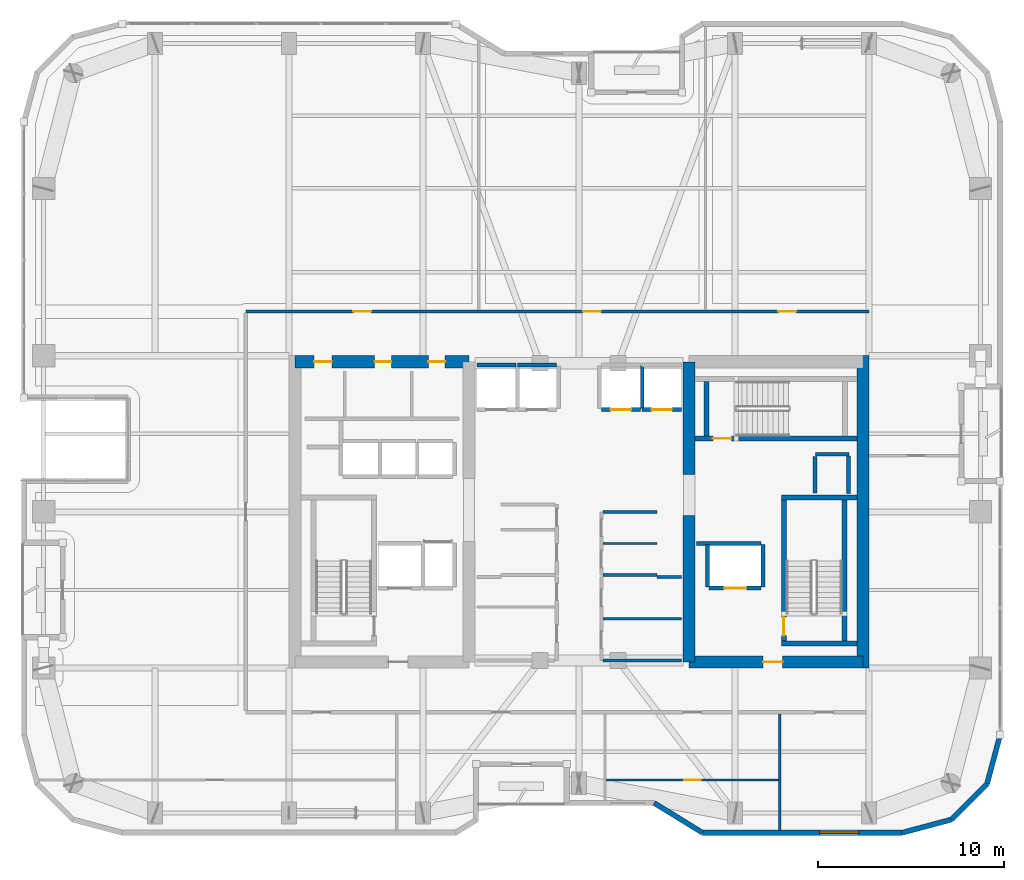
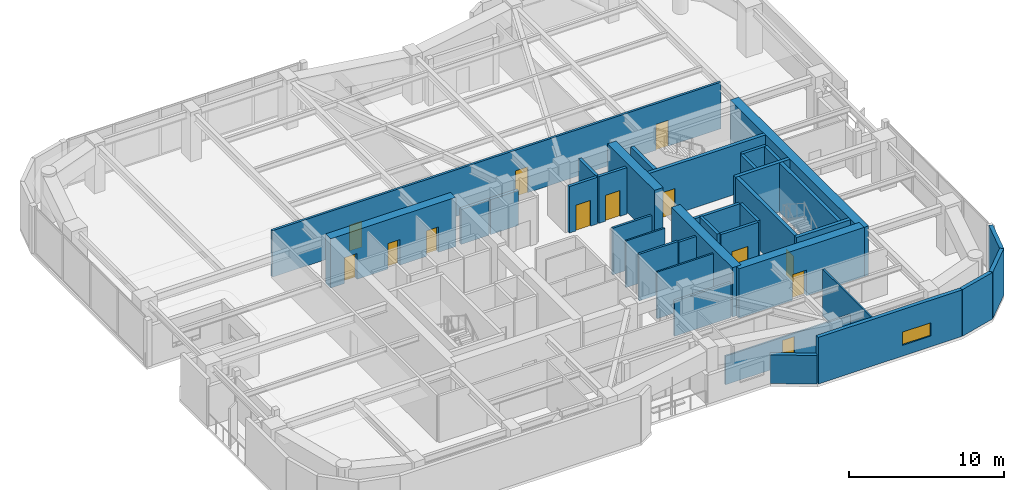
# One storey, part 22 of 26: 37 walls, 13 doors, 1 window, 14 openings.
"""IFC4 building model written with IfcOpenShell, lengths in metres."""

from ifc_helpers import new_model, si_unit, direction, frame, frame_2d, origin, place, context, subcontext, project, spatial, rectangle, extrude, material, layer, layer_set, type_object, element, fill, save


model = new_model("IFC4")

# Units and contexts
model_context = context("Model", 3, precision=1e-05, world=origin(), true_north=direction((0.0, 1.0)))
body_context = subcontext(model_context, "Body", "Model", "MODEL_VIEW")
ifc_project = project(units=[si_unit("LENGTHUNIT", "METRE"), si_unit("AREAUNIT", "SQUARE_METRE"), si_unit("VOLUMEUNIT", "CUBIC_METRE"), si_unit("PLANEANGLEUNIT", "RADIAN"), si_unit("MASSUNIT", "GRAM", prefix="KILO")], contexts=[model_context])

# Site, building, storey
site_placement = place(None, origin())
site = spatial("IfcSite", under=ifc_project, at=site_placement, CompositionType="ELEMENT")
building_placement = place(site_placement, origin())
building = spatial("IfcBuilding", under=site, at=building_placement, Name="Kiyonajd Concourse Tower", CompositionType="ELEMENT")
storey_placement = place(building_placement, frame((0.0, 0.0, 186.300048828125)))
storey = spatial("IfcBuildingStorey", under=building, at=storey_placement, Name="L47", CompositionType="ELEMENT", Elevation=186.300048828125)

# Wall, openings, doors
ifc_material_1 = material(Name="Concrete C60/75", Category="concrete")
ifc_layer_1 = layer(ifc_material_1, 0.64990234375)
ifc_layer_set_1 = layer_set([ifc_layer_1], Name="Concrete C60/75")
wall_type_1 = type_object("IfcWallType", Name="WL-CORE-650", PredefinedType="SHEAR", material=ifc_layer_set_1)
wall_1_placement = place(storey_placement, frame((32.72509765625, 44.074951171875, 0.0), z_axis=(0.0, 0.0, 1.0), x_axis=(1.0, 0.0, 0.0)))
wall_1 = element("IfcWall", 1, at=wall_1_placement, inside=storey, type_object=wall_type_1, Name="L47 West Core North Shear Wall", PredefinedType="SHEAR", context=body_context, shape_type="SweptSolid", body=[
    extrude(rectangle(XDim=9.349853515625, YDim=0.64990234375, at=frame_2d((4.6748046875, 0.0))), origin(), (0.0, 0.0, 1.0), 3.89990234375),
])
opening_1_placement = place(wall_1_placement, frame((1.02490234375, 0.0, 0.0)))
opening_1 = element("IfcOpeningElement", 2, at=opening_1_placement, cuts=wall_1, Name="Opening DI1", PredefinedType="OPENING", context=body_context, shape_type="SweptSolid", body=[
    extrude(rectangle(XDim=0.949951171875, YDim=2.0400390625, at=frame_2d((0.47509765625, 1.02001953125))), frame((0.0, 0.3349609375, 0.0), z_axis=(0.0, -1.0, 0.0), x_axis=(1.0, 0.0, 0.0)), (0.0, 0.0, 1.0), 0.669921875),
])
opening_2_placement = place(wall_1_placement, frame((4.27490234375, 0.0, 0.0)))
opening_2 = element("IfcOpeningElement", 3, at=opening_2_placement, cuts=wall_1, Name="Opening DI2", PredefinedType="OPENING", context=body_context, shape_type="SweptSolid", body=[
    extrude(rectangle(XDim=0.89990234375, YDim=2.02001953125, at=frame_2d((0.449951171875, 1.010009765625))), frame((0.0, 0.3349609375, 0.0), z_axis=(0.0, -1.0, 0.0), x_axis=(1.0, 0.0, 0.0)), (0.0, 0.0, 1.0), 0.669921875),
])
opening_3_placement = place(wall_1_placement, frame((7.175048828125, 0.0, 0.0)))
opening_3 = element("IfcOpeningElement", 4, at=opening_3_placement, cuts=wall_1, Name="Opening DI2", PredefinedType="OPENING", context=body_context, shape_type="SweptSolid", body=[
    extrude(rectangle(XDim=0.89990234375, YDim=2.02001953125, at=frame_2d((0.449951171875, 1.010009765625))), frame((0.0, 0.3349609375, 0.0), z_axis=(0.0, -1.0, 0.0), x_axis=(1.0, 0.0, 0.0)), (0.0, 0.0, 1.0), 0.669921875),
])
ifc_material_2 = material(Name="Natural Oak Acoustic Timber Veneer", Category="wood")
door_type_1 = type_object("IfcDoorType", Name="DR-INT-900", OperationType="NOTDEFINED", PredefinedType="DOOR", material=ifc_material_2)
door_1_placement = place(opening_2_placement, origin())
door_1 = element("IfcDoor", 5, at=door_1_placement, inside=storey, type_object=door_type_1, Name="L47 Male Restroom Door", OperationType="SINGLE_SWING_RIGHT", OverallHeight=2.02001953125, OverallWidth=0.89990234375, PredefinedType="DOOR", context=body_context, shape_type="SweptSolid", body=[
    extrude(rectangle(XDim=0.89990234375, YDim=2.02001953125, at=frame_2d((0.449951171875, 1.010009765625))), frame((0.0, 0.02490234375, 0.0), z_axis=(0.0, -1.0, 0.0), x_axis=(1.0, 0.0, 0.0)), (0.0, 0.0, 1.0), 0.050048828125),
])
fill(opening_2, door_1)
door_2_placement = place(opening_3_placement, origin())
door_2 = element("IfcDoor", 6, at=door_2_placement, inside=storey, type_object=door_type_1, Name="L47 Female Restroom Door", OperationType="SINGLE_SWING_LEFT", OverallHeight=2.02001953125, OverallWidth=0.89990234375, PredefinedType="DOOR", context=body_context, shape_type="SweptSolid", body=[
    extrude(rectangle(XDim=0.89990234375, YDim=2.02001953125, at=frame_2d((0.449951171875, 1.010009765625))), frame((0.0, 0.02490234375, 0.0), z_axis=(0.0, -1.0, 0.0), x_axis=(1.0, 0.0, 0.0)), (0.0, 0.0, 1.0), 0.050048828125),
])
fill(opening_3, door_2)
door_type_2 = type_object("IfcDoorType", Name="DR-INT-950", OperationType="NOTDEFINED", PredefinedType="DOOR", material=ifc_material_2)
door_3_placement = place(opening_1_placement, origin())
door_3 = element("IfcDoor", 7, at=door_3_placement, inside=storey, type_object=door_type_2, Name="L47 Single User Accessible WC Door", OperationType="SINGLE_SWING_LEFT", OverallHeight=2.0400390625, OverallWidth=0.949951171875, PredefinedType="DOOR", context=body_context, shape_type="SweptSolid", body=[
    extrude(rectangle(XDim=0.949951171875, YDim=2.0400390625, at=frame_2d((0.47509765625, 1.02001953125))), frame((0.0, 0.02490234375, 0.0), z_axis=(0.0, -1.0, 0.0), x_axis=(1.0, 0.0, 0.0)), (0.0, 0.0, 1.0), 0.050048828125),
])
fill(opening_1, door_3)

# Walls
wall_2_placement = place(storey_placement, frame((53.925048828125, 27.925048828125, 0.0), z_axis=(0.0, 0.0, 1.0), x_axis=(0.0, 1.0, 0.0)))
element("IfcWall", 8, at=wall_2_placement, inside=storey, type_object=wall_type_1, Name="L47 East Core Inner South Shear Wall", PredefinedType="SHEAR", context=body_context, shape_type="SweptSolid", body=[
    extrude(rectangle(XDim=7.875, YDim=0.64990234375, at=frame_2d((3.9375, 0.0))), origin(), (0.0, 0.0, 1.0), 3.89990234375),
])
wall_3_placement = place(storey_placement, frame((53.925048828125, 38.0, 0.0), z_axis=(0.0, 0.0, 1.0), x_axis=(0.0, 1.0, 0.0)))
element("IfcWall", 9, at=wall_3_placement, inside=storey, type_object=wall_type_1, Name="L47 East Core Inner North Shear Wall", PredefinedType="SHEAR", context=body_context, shape_type="SweptSolid", body=[
    extrude(rectangle(XDim=6.074951171875, YDim=0.64990234375, at=frame_2d((3.03759765625, 0.0))), origin(), (0.0, 0.0, 1.0), 3.89990234375),
])
wall_4_placement = place(storey_placement, frame((63.27490234375, 27.60009765625, 0.0), z_axis=(0.0, 0.0, 1.0), x_axis=(0.0, 1.0, 0.0)))
element("IfcWall", 10, at=wall_4_placement, inside=storey, type_object=wall_type_1, Name="L47 East Core Outer Shear Wall", PredefinedType="SHEAR", context=body_context, shape_type="SweptSolid", body=[
    extrude(rectangle(XDim=16.7998046875, YDim=0.64990234375, at=frame_2d((8.39990234375, 0.0))), origin(), (0.0, 0.0, 1.0), 3.89990234375),
])

# Wall, opening, door
wall_5_placement = place(storey_placement, frame((53.925048828125, 27.925048828125, 0.0), z_axis=(0.0, 0.0, 1.0), x_axis=(1.0, 0.0, 0.0)))
wall_5 = element("IfcWall", 11, at=wall_5_placement, inside=storey, type_object=wall_type_1, Name="L47 East Core South Shear Wall", PredefinedType="SHEAR", context=body_context, shape_type="SweptSolid", body=[
    extrude(rectangle(XDim=9.349853515625, YDim=0.64990234375, at=frame_2d((4.6748046875, 0.0))), origin(), (0.0, 0.0, 1.0), 3.89990234375),
])
opening_4_placement = place(wall_5_placement, frame((3.97509765625, 0.0, 0.0)))
opening_4 = element("IfcOpeningElement", 12, at=opening_4_placement, cuts=wall_5, Name="Opening DF5", PredefinedType="OPENING", context=body_context, shape_type="SweptSolid", body=[
    extrude(rectangle(XDim=1.050048828125, YDim=2.0400390625, at=frame_2d((0.52490234375, 1.02001953125))), frame((0.0, 0.3349609375, 0.0), z_axis=(0.0, -1.0, 0.0), x_axis=(1.0, 0.0, 0.0)), (0.0, 0.0, 1.0), 0.669921875),
])
ifc_material_3 = material(Name="Brushed Stainless Steel Cab Assembly", Category="steel")
door_type_3 = type_object("IfcDoorType", Name="DR-FD45-1050", OperationType="NOTDEFINED", PredefinedType="DOOR", material=ifc_material_3)
door_4_placement = place(opening_4_placement, origin())
door_4 = element("IfcDoor", 13, at=door_4_placement, inside=storey, type_object=door_type_3, Name="L47 Firefighting Lift Lobby E Smoke Door", OperationType="SINGLE_SWING_RIGHT", OverallHeight=2.0400390625, OverallWidth=1.050048828125, PredefinedType="DOOR", context=body_context, shape_type="SweptSolid", body=[
    extrude(rectangle(XDim=1.050048828125, YDim=2.0400390625, at=frame_2d((0.52490234375, 1.02001953125))), frame((0.0, 0.02490234375, 0.0), z_axis=(0.0, -1.0, 0.0), x_axis=(1.0, 0.0, 0.0)), (0.0, 0.0, 1.0), 0.050048828125),
])
fill(opening_4, door_4)

# Walls
ifc_material_4 = material(Name="Precast concrete C50/60", Category="concrete")
ifc_layer_2 = layer(ifc_material_4, 0.280029296875)
ifc_layer_set_2 = layer_set([ifc_layer_2], Name="Precast concrete C50/60")
wall_type_2 = type_object("IfcWallType", Name="WL-EXT-280", PredefinedType="SOLIDWALL", material=ifc_layer_set_2)
wall_6_placement = place(storey_placement, frame((70.659912109375, 24.018310546875, 0.0), z_axis=(0.0, 0.0, 1.0), x_axis=(-0.258672222976, -0.9659651552, 0.0)))
element("IfcWall", 14, at=wall_6_placement, inside=storey, type_object=wall_type_2, Name="L47 Exterior Concrete Frame Wall 28", PredefinedType="SOLIDWALL", context=body_context, shape_type="SweptSolid", body=[
    extrude(rectangle(XDim=2.739013671875, YDim=0.280029296875, at=frame_2d((1.36962890625, 0.0))), origin(), (0.0, 0.0, 1.0), 3.679931640625),
])
wall_7_placement = place(storey_placement, frame((69.951416015625, 21.37255859375, 0.0), z_axis=(0.0, 0.0, 1.0), x_axis=(-0.707061915429, -0.707151644098, 0.0)))
element("IfcWall", 15, at=wall_7_placement, inside=storey, type_object=wall_type_2, Name="L47 Exterior Concrete Frame Wall 29", PredefinedType="SOLIDWALL", context=body_context, shape_type="SweptSolid", body=[
    extrude(rectangle(XDim=2.720947265625, YDim=0.280029296875, at=frame_2d((1.3603515625, 0.0))), origin(), (0.0, 0.0, 1.0), 3.679931640625),
])
wall_8_placement = place(storey_placement, frame((68.027587890625, 19.448486328125, 0.0), z_axis=(0.0, 0.0, 1.0), x_axis=(-0.965971118627, -0.258649952598, 0.0)))
element("IfcWall", 16, at=wall_8_placement, inside=storey, type_object=wall_type_2, Name="L47 Exterior Concrete Frame Wall 30", PredefinedType="SOLIDWALL", context=body_context, shape_type="SweptSolid", body=[
    extrude(rectangle(XDim=2.7392578125, YDim=0.280029296875, at=frame_2d((1.36962890625, 0.0))), origin(), (0.0, 0.0, 1.0), 3.679931640625),
])

# Wall, opening, window
wall_9_placement = place(storey_placement, frame((65.381591796875, 18.739990234375, 0.0), z_axis=(0.0, 0.0, 1.0), x_axis=(-1.0, 0.0, 0.0)))
wall_9 = element("IfcWall", 17, at=wall_9_placement, inside=storey, type_object=wall_type_2, Name="L47 Exterior Concrete Frame Wall 31", PredefinedType="SOLIDWALL", context=body_context, shape_type="SweptSolid", body=[
    extrude(rectangle(XDim=10.741943359375, YDim=0.280029296875, at=frame_2d((5.37109375, 0.0))), origin(), (0.0, 0.0, 1.0), 3.679931640625),
])
opening_5_placement = place(wall_9_placement, frame((2.3359375, 0.0, 0.85009765625)))
opening_5 = element("IfcOpeningElement", 18, at=opening_5_placement, cuts=wall_9, Name="Opening WN5", PredefinedType="OPENING", context=body_context, shape_type="SweptSolid", body=[
    extrude(rectangle(XDim=2.10009765625, YDim=1.050048828125, at=frame_2d((1.050048828125, 0.52490234375))), frame((0.0, 0.14990234375, 0.0), z_axis=(0.0, -1.0, 0.0), x_axis=(1.0, 0.0, 0.0)), (0.0, 0.0, 1.0), 0.300048828125),
])
ifc_material_5 = material(Name="Double Low-E Insulated Glass", Category="glass")
window_type = type_object("IfcWindowType", Name="WN-VIS-2100x1050", PartitioningType="SINGLE_PANEL", PredefinedType="WINDOW", material=ifc_material_5)
window_placement = place(opening_5_placement, origin())
window = element("IfcWindow", 19, at=window_placement, inside=storey, type_object=window_type, Name="L47 Modular Facade Vision Window 31", OverallHeight=1.050048828125, OverallWidth=2.10009765625, PartitioningType="SINGLE_PANEL", PredefinedType="WINDOW", context=body_context, shape_type="SweptSolid", body=[
    extrude(rectangle(XDim=2.10009765625, YDim=1.050048828125, at=frame_2d((1.050048828125, 0.52490234375))), frame((0.0, 0.030029296875, 0.0), z_axis=(0.0, -1.0, 0.0), x_axis=(1.0, 0.0, 0.0)), (0.0, 0.0, 1.0), 0.06005859375),
])
fill(opening_5, window)

# Walls
wall_10_placement = place(storey_placement, frame((54.6396484375, 18.739990234375, 0.0), z_axis=(0.0, 0.0, 1.0), x_axis=(-0.851652825334, 0.524106349037, 0.0)))
element("IfcWall", 20, at=wall_10_placement, inside=storey, type_object=wall_type_2, Name="L47 Exterior Concrete Frame Wall 32", PredefinedType="SOLIDWALL", context=body_context, shape_type="SweptSolid", body=[
    extrude(rectangle(XDim=3.052978515625, YDim=0.280029296875, at=frame_2d((1.5263671875, 0.0))), origin(), (0.0, 0.0, 1.0), 2.264892578125),
])
ifc_material_6 = material(Name="Gypsum Board on Cold-Formed Steel Stud", Category="steel")
ifc_layer_3 = layer(ifc_material_6, 0.125)
ifc_layer_set_3 = layer_set([ifc_layer_3], Name="Gypsum Board on Cold-Formed Steel Stud")
wall_type_3 = type_object("IfcWallType", Name="WL-PART-125", PredefinedType="PARTITIONING", material=ifc_layer_set_3)
wall_11_placement = place(storey_placement, frame((49.287109375, 34.300048828125, 0.0), z_axis=(0.0, 0.0, 1.0), x_axis=(1.0, 0.0, 0.0)))
element("IfcWall", 21, at=wall_11_placement, inside=storey, type_object=wall_type_3, Name="L47 Interior Partition Wall", PredefinedType="PARTITIONING", context=body_context, shape_type="SweptSolid", body=[
    extrude(rectangle(XDim=2.912841796875, YDim=0.125, at=frame_2d((1.45654296875, 0.0))), origin(), (0.0, 0.0, 1.0), 3.679931640625),
])
wall_12_placement = place(storey_placement, frame((49.287109375, 30.25, 0.0), z_axis=(0.0, 0.0, 1.0), x_axis=(1.0, 0.0, 0.0)))
element("IfcWall", 22, at=wall_12_placement, inside=storey, type_object=wall_type_3, Name="L47 Interior Partition Wall", PredefinedType="PARTITIONING", context=body_context, shape_type="SweptSolid", body=[
    extrude(rectangle(XDim=4.212890625, YDim=0.125, at=frame_2d((2.1064453125, 0.0))), origin(), (0.0, 0.0, 1.0), 3.679931640625),
])

# Wall, opening, door
wall_13_placement = place(storey_placement, frame((49.39990234375, 21.580078125, 0.0), z_axis=(0.0, 0.0, 1.0), x_axis=(1.0, 0.0, 0.0)))
wall_13 = element("IfcWall", 23, at=wall_13_placement, inside=storey, type_object=wall_type_3, Name="L47 Interior Partition Wall", PredefinedType="PARTITIONING", context=body_context, shape_type="SweptSolid", body=[
    extrude(rectangle(XDim=9.400146484375, YDim=0.125, at=frame_2d((4.7001953125, 0.0))), origin(), (0.0, 0.0, 1.0), 2.264892578125),
])
opening_6_placement = place(wall_13_placement, frame((4.25, 0.0, 0.0)))
opening_6 = element("IfcOpeningElement", 24, at=opening_6_placement, cuts=wall_13, Name="Opening DI2", PredefinedType="OPENING", context=body_context, shape_type="SweptSolid", body=[
    extrude(rectangle(XDim=0.89990234375, YDim=2.02001953125, at=frame_2d((0.449951171875, 1.010009765625))), frame((0.0, 0.072509765625, 0.0), z_axis=(0.0, -1.0, 0.0), x_axis=(1.0, 0.0, 0.0)), (0.0, 0.0, 1.0), 0.14501953125),
])
door_5_placement = place(opening_6_placement, origin())
door_5 = element("IfcDoor", 25, at=door_5_placement, inside=storey, type_object=door_type_1, Name="L47 Interior Door", OperationType="SINGLE_SWING_RIGHT", OverallHeight=2.02001953125, OverallWidth=0.89990234375, PredefinedType="DOOR", context=body_context, shape_type="SweptSolid", body=[
    extrude(rectangle(XDim=0.89990234375, YDim=2.02001953125, at=frame_2d((0.449951171875, 1.010009765625))), frame((0.0, 0.02490234375, 0.0), z_axis=(0.0, -1.0, 0.0), x_axis=(1.0, 0.0, 0.0)), (0.0, 0.0, 1.0), 0.050048828125),
])
fill(opening_6, door_5)

# Walls
wall_14_placement = place(storey_placement, frame((58.800048828125, 18.875, 0.0), z_axis=(0.0, 0.0, 1.0), x_axis=(0.0, 1.0, 0.0)))
element("IfcWall", 26, at=wall_14_placement, inside=storey, type_object=wall_type_3, Name="L47 Interior Partition Wall", PredefinedType="PARTITIONING", context=body_context, shape_type="SweptSolid", body=[
    extrude(rectangle(XDim=6.258056640625, YDim=0.125, at=frame_2d((3.12890625, 0.0))), origin(), (0.0, 0.0, 1.0), 3.679931640625),
])
ifc_layer_4 = layer(ifc_material_6, 0.2099609375)
ifc_layer_set_4 = layer_set([ifc_layer_4], Name="Gypsum Board on Cold-Formed Steel Stud")
wall_type_4 = type_object("IfcWallType", Name="WL-SHAFT-210", PredefinedType="PARTITIONING", material=ifc_layer_set_4)
wall_15_placement = place(storey_placement, frame((60.719970703125, 39.10009765625, 0.0), z_axis=(0.0, 0.0, 1.0), x_axis=(1.0, 0.0, 0.0)))
element("IfcWall", 27, at=wall_15_placement, inside=storey, type_object=wall_type_4, Name="L47 Shaft Enclosure Wall", PredefinedType="PARTITIONING", context=body_context, shape_type="SweptSolid", body=[
    extrude(rectangle(XDim=1.800048828125, YDim=0.2099609375, at=frame_2d((0.89990234375, 0.0))), origin(), (0.0, 0.0, 1.0), 3.679931640625),
])
wall_16_placement = place(storey_placement, frame((60.699951171875, 37.02001953125, 0.0), z_axis=(0.0, 0.0, 1.0), x_axis=(0.0, 1.0, 0.0)))
element("IfcWall", 28, at=wall_16_placement, inside=storey, type_object=wall_type_4, Name="L47 Shaft Enclosure Wall", PredefinedType="PARTITIONING", context=body_context, shape_type="SweptSolid", body=[
    extrude(rectangle(XDim=1.9599609375, YDim=0.2099609375, at=frame_2d((0.97998046875, 0.0))), origin(), (0.0, 0.0, 1.0), 3.679931640625),
])
wall_17_placement = place(storey_placement, frame((62.5, 36.97998046875, 0.0), z_axis=(0.0, 0.0, 1.0), x_axis=(0.0, 1.0, 0.0)))
element("IfcWall", 29, at=wall_17_placement, inside=storey, type_object=wall_type_4, Name="L47 Shaft Enclosure Wall", PredefinedType="PARTITIONING", context=body_context, shape_type="SweptSolid", body=[
    extrude(rectangle(XDim=2.0400390625, YDim=0.2099609375, at=frame_2d((1.02001953125, 0.0))), origin(), (0.0, 0.0, 1.0), 3.679931640625),
])

# Wall, opening, door
wall_18_placement = place(storey_placement, frame((55.0, 31.89990234375, 0.0), z_axis=(0.0, 0.0, 1.0), x_axis=(1.0, 0.0, 0.0)))
wall_18 = element("IfcWall", 30, at=wall_18_placement, inside=storey, type_object=wall_type_4, Name="L47 Shaft Enclosure Wall", PredefinedType="PARTITIONING", context=body_context, shape_type="SweptSolid", body=[
    extrude(rectangle(XDim=2.800048828125, YDim=0.2099609375, at=frame_2d((1.39990234375, 0.0))), origin(), (0.0, 0.0, 1.0), 3.679931640625),
])
opening_7_placement = place(wall_18_placement, frame((0.800048828125, 0.0, 0.0)))
opening_7 = element("IfcOpeningElement", 31, at=opening_7_placement, cuts=wall_18, Name="Opening LD2", PredefinedType="OPENING", context=body_context, shape_type="SweptSolid", body=[
    extrude(rectangle(XDim=1.199951171875, YDim=2.0400390625, at=frame_2d((0.60009765625, 1.02001953125))), frame((0.0, 0.114990234375, 0.0), z_axis=(0.0, -1.0, 0.0), x_axis=(1.0, 0.0, 0.0)), (0.0, 0.0, 1.0), 0.22998046875),
])
door_type_4 = type_object("IfcDoorType", Name="DR-LD-1200", OperationType="DOUBLE_DOOR_SLIDING", PredefinedType="DOOR", material=ifc_material_3)
door_6_placement = place(opening_7_placement, origin())
door_6 = element("IfcDoor", 32, at=door_6_placement, inside=storey, type_object=door_type_4, Name="L47 Lift FFL2 Sliding Landing Door", OperationType="DOUBLE_DOOR_SLIDING", OverallHeight=2.0400390625, OverallWidth=1.199951171875, PredefinedType="DOOR", context=body_context, shape_type="SweptSolid", body=[
    extrude(rectangle(XDim=1.199951171875, YDim=2.0400390625, at=frame_2d((0.60009765625, 1.02001953125))), frame((0.0, 0.02490234375, 0.0), z_axis=(0.0, -1.0, 0.0), x_axis=(1.0, 0.0, 0.0)), (0.0, 0.0, 1.0), 0.050048828125),
])
fill(opening_7, door_6)

# Walls
wall_19_placement = place(storey_placement, frame((54.320068359375, 34.300048828125, 0.0), z_axis=(0.0, 0.0, 1.0), x_axis=(1.0, 0.0, 0.0)))
element("IfcWall", 33, at=wall_19_placement, inside=storey, type_object=wall_type_4, Name="L47 Shaft Enclosure Wall", PredefinedType="PARTITIONING", context=body_context, shape_type="SweptSolid", body=[
    extrude(rectangle(XDim=3.47998046875, YDim=0.2099609375, at=frame_2d((1.739990234375, 0.0))), origin(), (0.0, 0.0, 1.0), 3.679931640625),
])
for number, where, z_axis, x_axis, name in (
    (34, (54.89990234375, 31.9599609375, 0.0), (0.0, 0.0, 1.0), (0.0, 1.0, 0.0), "L47 Shaft Enclosure Wall"),
    (35, (57.89990234375, 31.9599609375, 0.0), (0.0, 0.0, 1.0), (0.0, 1.0, 0.0), "L47 Shaft Enclosure Wall"),
):
    element("IfcWall", number, at=place(storey_placement, frame(where, z_axis=z_axis, x_axis=x_axis)), inside=storey, type_object=wall_type_4, Name=name, PredefinedType="PARTITIONING", context=body_context, shape_type="SweptSolid", body=[
        extrude(rectangle(XDim=2.280029296875, YDim=0.2099609375, at=frame_2d((1.14013671875, 0.0))), origin(), (0.0, 0.0, 1.0), 3.679931640625),
    ])
for number, where, z_axis, x_axis, name in (
    (36, (42.5, 43.89990234375, 0.0), (0.0, 0.0, 1.0), (1.0, 0.0, 0.0), "L47 Shaft Enclosure Wall"),
    (37, (44.699951171875, 43.89990234375, 0.0), (0.0, 0.0, 1.0), (1.0, 0.0, 0.0), "L47 Shaft Enclosure Wall"),
):
    element("IfcWall", number, at=place(storey_placement, frame(where, z_axis=z_axis, x_axis=x_axis)), inside=storey, type_object=wall_type_4, Name=name, PredefinedType="PARTITIONING", context=body_context, shape_type="SweptSolid", body=[
        extrude(rectangle(XDim=2.10009765625, YDim=0.2099609375, at=frame_2d((1.050048828125, 0.0))), origin(), (0.0, 0.0, 1.0), 2.764892578125),
    ])

# Wall, opening, door
wall_20_placement = place(storey_placement, frame((49.199951171875, 41.5, 0.0), z_axis=(0.0, 0.0, 1.0), x_axis=(1.0, 0.0, 0.0)))
wall_20 = element("IfcWall", 38, at=wall_20_placement, inside=storey, type_object=wall_type_4, Name="L47 Shaft Enclosure Wall", PredefinedType="PARTITIONING", context=body_context, shape_type="SweptSolid", body=[
    extrude(rectangle(XDim=2.10009765625, YDim=0.2099609375, at=frame_2d((1.050048828125, 0.0))), origin(), (0.0, 0.0, 1.0), 3.679931640625),
])
opening_8_placement = place(wall_20_placement, frame((0.5, 0.0, 0.0)))
opening_8 = element("IfcOpeningElement", 39, at=opening_8_placement, cuts=wall_20, Name="Opening LD1", PredefinedType="OPENING", context=body_context, shape_type="SweptSolid", body=[
    extrude(rectangle(XDim=1.10009765625, YDim=2.0400390625, at=frame_2d((0.550048828125, 1.02001953125))), frame((0.0, 0.114990234375, 0.0), z_axis=(0.0, -1.0, 0.0), x_axis=(1.0, 0.0, 0.0)), (0.0, 0.0, 1.0), 0.22998046875),
])
door_type_5 = type_object("IfcDoorType", Name="DR-LD-1100", OperationType="DOUBLE_DOOR_SLIDING", PredefinedType="DOOR", material=ifc_material_3)
door_7_placement = place(opening_8_placement, origin())
door_7 = element("IfcDoor", 40, at=door_7_placement, inside=storey, type_object=door_type_5, Name="L47 Lift PL-M3 Sliding Landing Door", OperationType="DOUBLE_DOOR_SLIDING", OverallHeight=2.0400390625, OverallWidth=1.10009765625, PredefinedType="DOOR", context=body_context, shape_type="SweptSolid", body=[
    extrude(rectangle(XDim=1.10009765625, YDim=2.0400390625, at=frame_2d((0.550048828125, 1.02001953125))), frame((0.0, 0.02490234375, 0.0), z_axis=(0.0, -1.0, 0.0), x_axis=(1.0, 0.0, 0.0)), (0.0, 0.0, 1.0), 0.050048828125),
])
fill(opening_8, door_7)

# Wall
wall_21_placement = place(storey_placement, frame((51.39990234375, 41.56005859375, 0.0), z_axis=(0.0, 0.0, 1.0), x_axis=(0.0, 1.0, 0.0)))
element("IfcWall", 41, at=wall_21_placement, inside=storey, type_object=wall_type_4, Name="L47 Shaft Enclosure Wall", PredefinedType="PARTITIONING", context=body_context, shape_type="SweptSolid", body=[
    extrude(rectangle(XDim=2.280029296875, YDim=0.2099609375, at=frame_2d((1.14013671875, 0.0))), origin(), (0.0, 0.0, 1.0), 3.679931640625),
])

# Wall, opening, door
wall_22_placement = place(storey_placement, frame((51.39990234375, 41.5, 0.0), z_axis=(0.0, 0.0, 1.0), x_axis=(1.0, 0.0, 0.0)))
wall_22 = element("IfcWall", 42, at=wall_22_placement, inside=storey, type_object=wall_type_4, Name="L47 Shaft Enclosure Wall", PredefinedType="PARTITIONING", context=body_context, shape_type="SweptSolid", body=[
    extrude(rectangle(XDim=2.10009765625, YDim=0.2099609375, at=frame_2d((1.050048828125, 0.0))), origin(), (0.0, 0.0, 1.0), 3.679931640625),
])
opening_9_placement = place(wall_22_placement, frame((0.5, 0.0, 0.0)))
opening_9 = element("IfcOpeningElement", 43, at=opening_9_placement, cuts=wall_22, Name="Opening LD1", PredefinedType="OPENING", context=body_context, shape_type="SweptSolid", body=[
    extrude(rectangle(XDim=1.10009765625, YDim=2.0400390625, at=frame_2d((0.550048828125, 1.02001953125))), frame((0.0, 0.114990234375, 0.0), z_axis=(0.0, -1.0, 0.0), x_axis=(1.0, 0.0, 0.0)), (0.0, 0.0, 1.0), 0.22998046875),
])
door_8_placement = place(opening_9_placement, origin())
door_8 = element("IfcDoor", 44, at=door_8_placement, inside=storey, type_object=door_type_5, Name="L47 Lift PL-M4 Sliding Landing Door", OperationType="DOUBLE_DOOR_SLIDING", OverallHeight=2.0400390625, OverallWidth=1.10009765625, PredefinedType="DOOR", context=body_context, shape_type="SweptSolid", body=[
    extrude(rectangle(XDim=1.10009765625, YDim=2.0400390625, at=frame_2d((0.550048828125, 1.02001953125))), frame((0.0, 0.02490234375, 0.0), z_axis=(0.0, -1.0, 0.0), x_axis=(1.0, 0.0, 0.0)), (0.0, 0.0, 1.0), 0.050048828125),
])
fill(opening_9, door_8)

# Walls
ifc_layer_5 = layer(ifc_material_6, 0.169921875)
ifc_layer_set_5 = layer_set([ifc_layer_5], Name="Gypsum Board on Cold-Formed Steel Stud")
wall_type_5 = type_object("IfcWallType", Name="WL-SMK-170", PredefinedType="PARTITIONING", material=ifc_layer_set_5)
for number, where, z_axis, x_axis, name in (
    (45, (49.287109375, 32.60009765625, 0.0), (0.0, 0.0, 1.0), (1.0, 0.0, 0.0), "L47 Interior Partition Wall"),
    (46, (49.287109375, 36.0, 0.0), (0.0, 0.0, 1.0), (1.0, 0.0, 0.0), "L47 Interior Partition Wall"),
):
    element("IfcWall", number, at=place(storey_placement, frame(where, z_axis=z_axis, x_axis=x_axis)), inside=storey, type_object=wall_type_5, Name=name, PredefinedType="PARTITIONING", context=body_context, shape_type="SweptSolid", body=[
        extrude(rectangle(XDim=2.912841796875, YDim=0.169921875, at=frame_2d((1.45654296875, 0.0))), origin(), (0.0, 0.0, 1.0), 3.679931640625),
    ])
wall_23_placement = place(storey_placement, frame((49.287109375, 28.0, 0.0), z_axis=(0.0, 0.0, 1.0), x_axis=(1.0, 0.0, 0.0)))
element("IfcWall", 47, at=wall_23_placement, inside=storey, type_object=wall_type_5, Name="L47 Interior Partition Wall", PredefinedType="PARTITIONING", context=body_context, shape_type="SweptSolid", body=[
    extrude(rectangle(XDim=4.212890625, YDim=0.169921875, at=frame_2d((2.1064453125, 0.0))), origin(), (0.0, 0.0, 1.0), 2.764892578125),
])
wall_24_placement = place(storey_placement, frame((52.199951171875, 32.5, 0.0), z_axis=(0.0, 0.0, 1.0), x_axis=(1.0, 0.0, 0.0)))
element("IfcWall", 48, at=wall_24_placement, inside=storey, type_object=wall_type_5, Name="L47 Interior Partition Wall", PredefinedType="PARTITIONING", context=body_context, shape_type="SweptSolid", body=[
    extrude(rectangle(XDim=1.300048828125, YDim=0.169921875, at=frame_2d((0.64990234375, 0.0))), origin(), (0.0, 0.0, 1.0), 3.679931640625),
])

# Wall, openings, doors
wall_25_placement = place(storey_placement, frame((30.074951171875, 46.780029296875, 0.0), z_axis=(0.0, 0.0, 1.0), x_axis=(1.0, 0.0, 0.0)))
wall_25 = element("IfcWall", 49, at=wall_25_placement, inside=storey, type_object=wall_type_5, Name="L47 Interior Partition Wall", PredefinedType="PARTITIONING", context=body_context, shape_type="SweptSolid", body=[
    extrude(rectangle(XDim=33.525146484375, YDim=0.169921875, at=frame_2d((16.7626953125, 0.0))), origin(), (0.0, 0.0, 1.0), 3.679931640625),
])
opening_10_placement = place(wall_25_placement, frame((5.787109375, 0.0, 0.0)))
opening_10 = element("IfcOpeningElement", 50, at=opening_10_placement, cuts=wall_25, Name="Opening DI1", PredefinedType="OPENING", context=body_context, shape_type="SweptSolid", body=[
    extrude(rectangle(XDim=0.949951171875, YDim=2.0400390625, at=frame_2d((0.47509765625, 1.02001953125))), frame((0.0, 0.094970703125, 0.0), z_axis=(0.0, -1.0, 0.0), x_axis=(1.0, 0.0, 0.0)), (0.0, 0.0, 1.0), 0.18994140625),
])
opening_11_placement = place(wall_25_placement, frame((18.14990234375, 0.0, 0.0)))
opening_11 = element("IfcOpeningElement", 51, at=opening_11_placement, cuts=wall_25, Name="Opening DI1", PredefinedType="OPENING", context=body_context, shape_type="SweptSolid", body=[
    extrude(rectangle(XDim=0.949951171875, YDim=2.0400390625, at=frame_2d((0.47509765625, 1.02001953125))), frame((0.0, 0.094970703125, 0.0), z_axis=(0.0, -1.0, 0.0), x_axis=(1.0, 0.0, 0.0)), (0.0, 0.0, 1.0), 0.18994140625),
])
opening_12_placement = place(wall_25_placement, frame((28.64990234375, 0.0, 0.0)))
opening_12 = element("IfcOpeningElement", 52, at=opening_12_placement, cuts=wall_25, Name="Opening DI1", PredefinedType="OPENING", context=body_context, shape_type="SweptSolid", body=[
    extrude(rectangle(XDim=0.949951171875, YDim=2.0400390625, at=frame_2d((0.47509765625, 1.02001953125))), frame((0.0, 0.094970703125, 0.0), z_axis=(0.0, -1.0, 0.0), x_axis=(1.0, 0.0, 0.0)), (0.0, 0.0, 1.0), 0.18994140625),
])
door_9_placement = place(opening_10_placement, origin())
door_9 = element("IfcDoor", 53, at=door_9_placement, inside=storey, type_object=door_type_2, Name="L47 Interior Door", OperationType="SINGLE_SWING_LEFT", OverallHeight=2.0400390625, OverallWidth=0.949951171875, PredefinedType="DOOR", context=body_context, shape_type="SweptSolid", body=[
    extrude(rectangle(XDim=0.949951171875, YDim=2.0400390625, at=frame_2d((0.47509765625, 1.02001953125))), frame((0.0, 0.02490234375, 0.0), z_axis=(0.0, -1.0, 0.0), x_axis=(1.0, 0.0, 0.0)), (0.0, 0.0, 1.0), 0.050048828125),
])
fill(opening_10, door_9)
door_10_placement = place(opening_11_placement, origin())
door_10 = element("IfcDoor", 54, at=door_10_placement, inside=storey, type_object=door_type_2, Name="L47 Interior Door", OperationType="SINGLE_SWING_RIGHT", OverallHeight=2.0400390625, OverallWidth=0.949951171875, PredefinedType="DOOR", context=body_context, shape_type="SweptSolid", body=[
    extrude(rectangle(XDim=0.949951171875, YDim=2.0400390625, at=frame_2d((0.47509765625, 1.02001953125))), frame((0.0, 0.02490234375, 0.0), z_axis=(0.0, -1.0, 0.0), x_axis=(1.0, 0.0, 0.0)), (0.0, 0.0, 1.0), 0.050048828125),
])
fill(opening_11, door_10)
door_11_placement = place(opening_12_placement, origin())
door_11 = element("IfcDoor", 55, at=door_11_placement, inside=storey, type_object=door_type_2, Name="L47 Interior Door", OperationType="SINGLE_SWING_LEFT", OverallHeight=2.0400390625, OverallWidth=0.949951171875, PredefinedType="DOOR", context=body_context, shape_type="SweptSolid", body=[
    extrude(rectangle(XDim=0.949951171875, YDim=2.0400390625, at=frame_2d((0.47509765625, 1.02001953125))), frame((0.0, 0.02490234375, 0.0), z_axis=(0.0, -1.0, 0.0), x_axis=(1.0, 0.0, 0.0)), (0.0, 0.0, 1.0), 0.050048828125),
])
fill(opening_12, door_11)

# Walls
ifc_material_7 = material(Name="Concrete C50/60", Category="concrete")
ifc_layer_6 = layer(ifc_material_7, 0.260009765625)
ifc_layer_set_6 = layer_set([ifc_layer_6], Name="Concrete C50/60")
wall_type_6 = type_object("IfcWallType", Name="WL-STAIR-260", PredefinedType="SHEAR", material=ifc_layer_set_6)
for number, where, z_axis, x_axis, name in (
    (56, (58.889892578125, 28.919921875, 0.0), (0.0, 0.0, 1.0), (1.0, 0.0, 0.0), "L47 Stair ST2 Structural South Wall"),
    (57, (58.889892578125, 36.780029296875, 0.0), (0.0, 0.0, 1.0), (1.0, 0.0, 0.0), "L47 Stair ST2 Structural North Wall"),
):
    element("IfcWall", number, at=place(storey_placement, frame(where, z_axis=z_axis, x_axis=x_axis)), inside=storey, type_object=wall_type_6, Name=name, PredefinedType="SHEAR", context=body_context, shape_type="SweptSolid", body=[
        extrude(rectangle(XDim=4.06005859375, YDim=0.260009765625, at=frame_2d((2.030029296875, 0.0))), origin(), (0.0, 0.0, 1.0), 3.89990234375),
    ])

# Wall, opening, door
wall_26_placement = place(storey_placement, frame((59.02001953125, 29.050048828125, 0.0), z_axis=(0.0, 0.0, 1.0), x_axis=(0.0, 1.0, 0.0)))
wall_26 = element("IfcWall", 58, at=wall_26_placement, inside=storey, type_object=wall_type_6, Name="L47 Stair ST2 Structural West Wall", PredefinedType="SHEAR", context=body_context, shape_type="SweptSolid", body=[
    extrude(rectangle(XDim=7.599853515625, YDim=0.260009765625, at=frame_2d((3.7998046875, 0.0))), origin(), (0.0, 0.0, 1.0), 3.89990234375),
])
opening_13_placement = place(wall_26_placement, frame((0.300048828125, 0.0, 0.0)))
opening_13 = element("IfcOpeningElement", 59, at=opening_13_placement, cuts=wall_26, Name="Opening DF1", PredefinedType="OPENING", context=body_context, shape_type="SweptSolid", body=[
    extrude(rectangle(XDim=1.0, YDim=2.0400390625, at=frame_2d((0.5, 1.02001953125))), frame((0.0, 0.139892578125, 0.0), z_axis=(0.0, -1.0, 0.0), x_axis=(1.0, 0.0, 0.0)), (0.0, 0.0, 1.0), 0.280029296875),
])
door_type_6 = type_object("IfcDoorType", Name="DR-FD90-1000", OperationType="NOTDEFINED", PredefinedType="DOOR", material=ifc_material_3)
door_12_placement = place(opening_13_placement, origin())
door_12 = element("IfcDoor", 60, at=door_12_placement, inside=storey, type_object=door_type_6, Name="L47 Stair ST2 FSAE Door", OperationType="SINGLE_SWING_RIGHT", OverallHeight=2.0400390625, OverallWidth=1.0, PredefinedType="DOOR", context=body_context, shape_type="SweptSolid", body=[
    extrude(rectangle(XDim=1.0, YDim=2.0400390625, at=frame_2d((0.5, 1.02001953125))), frame((0.0, 0.02490234375, 0.0), z_axis=(0.0, -1.0, 0.0), x_axis=(1.0, 0.0, 0.0)), (0.0, 0.0, 1.0), 0.050048828125),
])
fill(opening_13, door_12)

# Wall
wall_27_placement = place(storey_placement, frame((62.280029296875, 29.050048828125, 0.0), z_axis=(0.0, 0.0, 1.0), x_axis=(0.0, 1.0, 0.0)))
element("IfcWall", 61, at=wall_27_placement, inside=storey, type_object=wall_type_6, Name="L47 Stair ST2 Structural East Wall", PredefinedType="SHEAR", context=body_context, shape_type="SweptSolid", body=[
    extrude(rectangle(XDim=7.599853515625, YDim=0.260009765625, at=frame_2d((3.7998046875, 0.0))), origin(), (0.0, 0.0, 1.0), 3.89990234375),
])

# Wall, opening, door
wall_28_placement = place(storey_placement, frame((54.25, 39.949951171875, 0.0), z_axis=(0.0, 0.0, 1.0), x_axis=(1.0, 0.0, 0.0)))
wall_28 = element("IfcWall", 62, at=wall_28_placement, inside=storey, type_object=wall_type_6, Name="L47 Stair ST3 Structural South Wall", PredefinedType="SHEAR", context=body_context, shape_type="SweptSolid", body=[
    extrude(rectangle(XDim=8.699951171875, YDim=0.260009765625, at=frame_2d((4.35009765625, 0.0))), origin(), (0.0, 0.0, 1.0), 3.89990234375),
])
opening_14_placement = place(wall_28_placement, frame((0.949951171875, 0.0, 0.0)))
opening_14 = element("IfcOpeningElement", 63, at=opening_14_placement, cuts=wall_28, Name="Opening DF1", PredefinedType="OPENING", context=body_context, shape_type="SweptSolid", body=[
    extrude(rectangle(XDim=1.0, YDim=2.0400390625, at=frame_2d((0.5, 1.02001953125))), frame((0.0, 0.139892578125, 0.0), z_axis=(0.0, -1.0, 0.0), x_axis=(1.0, 0.0, 0.0)), (0.0, 0.0, 1.0), 0.280029296875),
])
door_13_placement = place(opening_14_placement, origin())
door_13 = element("IfcDoor", 64, at=door_13_placement, inside=storey, type_object=door_type_6, Name="L47 Stair ST3 Enclosure Door", OperationType="SINGLE_SWING_LEFT", OverallHeight=2.0400390625, OverallWidth=1.0, PredefinedType="DOOR", context=body_context, shape_type="SweptSolid", body=[
    extrude(rectangle(XDim=1.0, YDim=2.0400390625, at=frame_2d((0.5, 1.02001953125))), frame((0.0, 0.02490234375, 0.0), z_axis=(0.0, -1.0, 0.0), x_axis=(1.0, 0.0, 0.0)), (0.0, 0.0, 1.0), 0.050048828125),
])
fill(opening_14, door_13)

# Wall
wall_29_placement = place(storey_placement, frame((54.85009765625, 40.080078125, 0.0), z_axis=(0.0, 0.0, 1.0), x_axis=(0.0, 1.0, 0.0)))
element("IfcWall", 65, at=wall_29_placement, inside=storey, type_object=wall_type_6, Name="L47 Stair ST3 Structural West Wall", PredefinedType="SHEAR", context=body_context, shape_type="SweptSolid", body=[
    extrude(rectangle(XDim=2.93994140625, YDim=0.260009765625, at=frame_2d((1.469970703125, 0.0))), origin(), (0.0, 0.0, 1.0), 3.89990234375),
])

save(model, "model.ifc")
